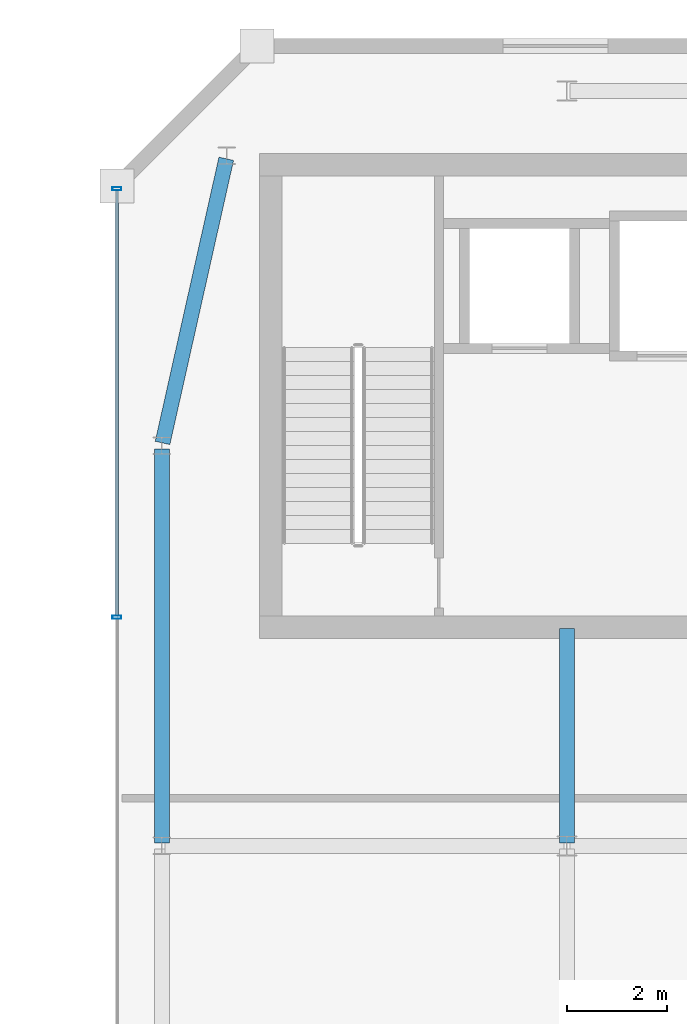
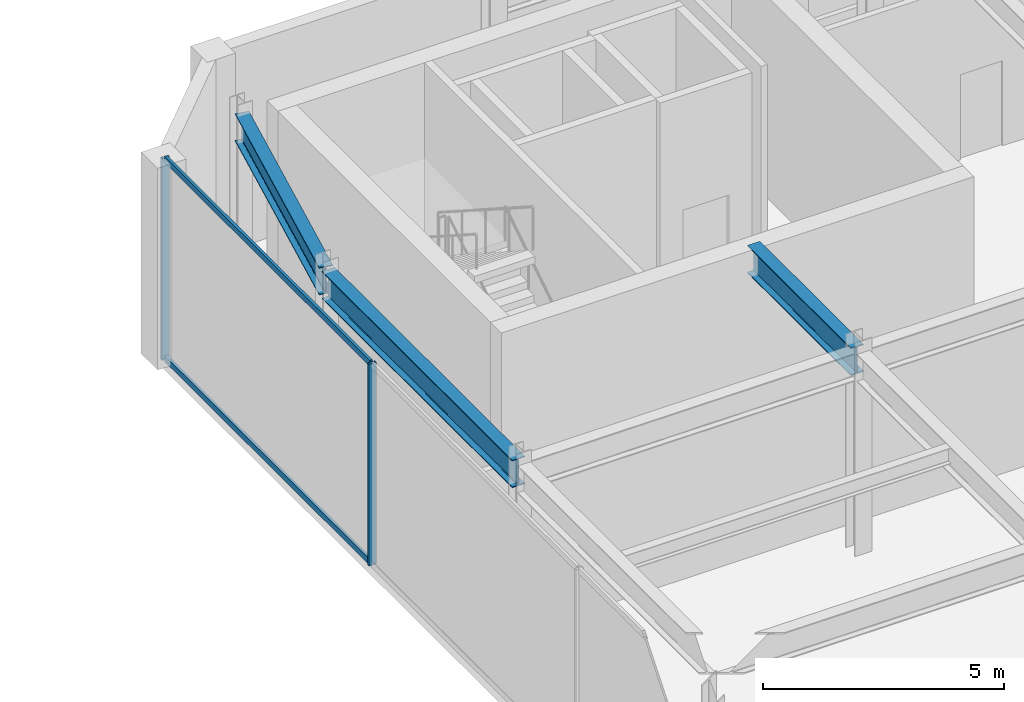
# One storey, part 36 of 51: 4 members, 3 beams, 1 element without a shape of its own.
"""IFC4 building model written with IfcOpenShell, lengths in metres."""

from ifc_helpers import new_model, si_unit, direction, frame, origin, origin_2d, place, context, subcontext, project, spatial, hollow_rectangle, i_section, extrude, material, material_profile, profile_set, type_object, element, aggregate, save


model = new_model("IFC4")

# Units and contexts
model_context = context("Model", 3, precision=1e-05, world=origin(), true_north=direction((0.0, 1.0)))
body_context = subcontext(model_context, "Body", "Model", "MODEL_VIEW")
ifc_project = project(units=[si_unit("LENGTHUNIT", "METRE"), si_unit("AREAUNIT", "SQUARE_METRE"), si_unit("VOLUMEUNIT", "CUBIC_METRE"), si_unit("PLANEANGLEUNIT", "RADIAN"), si_unit("MASSUNIT", "GRAM", prefix="KILO")], contexts=[model_context])

# Site, building, storey
site_placement = place(None, origin())
site = spatial("IfcSite", under=ifc_project, at=site_placement, CompositionType="ELEMENT")
building_placement = place(site_placement, origin())
building = spatial("IfcBuilding", under=site, at=building_placement, Name="Saevonmaru Cultural Tower", CompositionType="ELEMENT")
storey_placement = place(building_placement, frame((0.0, 0.0, 6.0)))
storey = spatial("IfcBuildingStorey", under=building, at=storey_placement, Name="L01", CompositionType="ELEMENT", Elevation=6.0)

# Beams
ifc_material_1 = material(Name="Steel SM355", Category="steel")
ifc_material_profile_1 = material_profile(ifc_material_1, i_section(OverallWidth=0.300048828125, OverallDepth=0.699951171875, WebThickness=0.012939453125, FlangeThickness=0.02392578125, FilletRadius=0.02587890625, at=origin_2d()), Name="H-700x300x13x24")
ifc_profile_set_1 = profile_set([ifc_material_profile_1], Name="Steel SM355")
beam_type = type_object("IfcBeamType", Name="BM-G-H700", PredefinedType="BEAM", material=ifc_profile_set_1)
beam_1_placement = place(storey_placement, frame((73.10009765625, 32.06005859375, 4.75), z_axis=(0.0, 1.0, 0.0), x_axis=(-1.0, 0.0, 0.0)))
element("IfcBeam", 1, at=beam_1_placement, inside=storey, type_object=beam_type, Name="L01 Library Girder NS-1-4", PredefinedType="BEAM", context=body_context, shape_type="SweptSolid", body=[
    extrude(i_section(OverallWidth=0.300048828125, OverallDepth=0.699951171875, WebThickness=0.012939453125, FlangeThickness=0.02392578125, FilletRadius=0.02587890625, at=origin_2d()), origin(), (0.0, 0.0, 1.0), 7.8798828125),
])
beam_2_placement = place(storey_placement, frame((73.113037109375, 40.05859375, 4.75), z_axis=(0.218741049138, 0.975782943806, 0.0), x_axis=(-0.975782943806, 0.218741049138, 0.0)))
element("IfcBeam", 2, at=beam_2_placement, inside=storey, type_object=beam_type, Name="L01 Library Girder NS-1-5", PredefinedType="BEAM", context=body_context, shape_type="SweptSolid", body=[
    extrude(i_section(OverallWidth=0.300048828125, OverallDepth=0.699951171875, WebThickness=0.012939453125, FlangeThickness=0.02392578125, FilletRadius=0.02587890625, at=origin_2d()), origin(), (0.0, 0.0, 1.0), 5.823974609375),
])
beam_3_placement = place(storey_placement, frame((81.199951171875, 32.06005859375, 4.75), z_axis=(0.0, 1.0, 0.0), x_axis=(-1.0, 0.0, 0.0)))
element("IfcBeam", 3, at=beam_3_placement, inside=storey, type_object=beam_type, Name="L01 Library Core-Bearing Girder NS-2-4", PredefinedType="BEAM", context=body_context, shape_type="SweptSolid", body=[
    extrude(i_section(OverallWidth=0.300048828125, OverallDepth=0.699951171875, WebThickness=0.012939453125, FlangeThickness=0.02392578125, FilletRadius=0.02587890625, at=origin_2d()), origin(), (0.0, 0.0, 1.0), 4.2900390625),
])

# Curtain wall, members
ifc_material_2 = material(Name="Satin Bronze Anodised Aluminium", Category="aluminium")
curtain_wall_type = type_object("IfcCurtainWallType", Name="CW-LIB-GLZ", PredefinedType="NOTDEFINED", material=ifc_material_2)
curtain_wall_placement = place(storey_placement, origin())
curtain_wall = element("IfcCurtainWall", 4, at=curtain_wall_placement, inside=storey, type_object=curtain_wall_type, Name="L01 Central Library Reading Hall Curtain Wall 8", PredefinedType="NOTDEFINED")
ifc_material_profile_2 = material_profile(ifc_material_2, hollow_rectangle(XDim=0.06494140625, YDim=0.179931640625, WallThickness=0.00390625, at=origin_2d()), Name="ALU-MULL-180x65x4")
ifc_profile_set_2 = profile_set([ifc_material_profile_2], Name="Satin Bronze Anodised Aluminium")
member_type_1 = type_object("IfcMemberType", Name="ML-CW-180x65", PredefinedType="MULLION", material=ifc_profile_set_2)
member_1_placement = place(storey_placement, frame((72.199951171875, 45.139892578125, 0.0), z_axis=(0.0, 0.0, 1.0), x_axis=(0.0, -1.0, 0.0)))
member_1 = element("IfcMember", 5, at=member_1_placement, type_object=member_type_1, Name="CW-LIB-8-L01 mullion 1", PredefinedType="MULLION", context=body_context, shape_type="SweptSolid", body=[
    extrude(hollow_rectangle(XDim=0.06494140625, YDim=0.179931640625, WallThickness=0.00390625, at=origin_2d()), origin(), (0.0, 0.0, 1.0), 5.10009765625),
])
member_2_placement = place(storey_placement, frame((72.199951171875, 36.570068359375, 0.0), z_axis=(0.0, 0.0, 1.0), x_axis=(0.0, -1.0, 0.0)))
member_2 = element("IfcMember", 6, at=member_2_placement, type_object=member_type_1, Name="CW-LIB-8-L01 mullion 2", PredefinedType="MULLION", context=body_context, shape_type="SweptSolid", body=[
    extrude(hollow_rectangle(XDim=0.06494140625, YDim=0.179931640625, WallThickness=0.00390625, at=origin_2d()), origin(), (0.0, 0.0, 1.0), 5.10009765625),
])
ifc_material_profile_3 = material_profile(ifc_material_2, hollow_rectangle(XDim=0.06494140625, YDim=0.14990234375, WallThickness=0.00390625, at=origin_2d()), Name="ALU-TRAN-150x65x4")
ifc_profile_set_3 = profile_set([ifc_material_profile_3], Name="Satin Bronze Anodised Aluminium")
member_type_2 = type_object("IfcMemberType", Name="TR-CW-150x65", PredefinedType="USERDEFINED", material=ifc_profile_set_3)
member_3_placement = place(storey_placement, frame((72.199951171875, 45.107421875, 0.032470703125), z_axis=(0.0, -1.0, 0.0), x_axis=(1.0, 0.0, 0.0)))
member_3 = element("IfcMember", 7, at=member_3_placement, type_object=member_type_2, Name="CW-LIB-8-L01 transom 1.1", ObjectType="TRANSOM", PredefinedType="USERDEFINED", context=body_context, shape_type="SweptSolid", body=[
    extrude(hollow_rectangle(XDim=0.06494140625, YDim=0.14990234375, WallThickness=0.00390625, at=origin_2d()), origin(), (0.0, 0.0, 1.0), 8.5048828125),
])
member_4_placement = place(storey_placement, frame((72.199951171875, 45.107421875, 5.0673828125), z_axis=(0.0, -1.0, 0.0), x_axis=(1.0, 0.0, 0.0)))
member_4 = element("IfcMember", 8, at=member_4_placement, type_object=member_type_2, Name="CW-LIB-8-L01 transom 1.2", ObjectType="TRANSOM", PredefinedType="USERDEFINED", context=body_context, shape_type="SweptSolid", body=[
    extrude(hollow_rectangle(XDim=0.06494140625, YDim=0.14990234375, WallThickness=0.00390625, at=origin_2d()), origin(), (0.0, 0.0, 1.0), 8.5048828125),
])
aggregate(curtain_wall, [member_1, member_2, member_3, member_4])

save(model, "model.ifc")
